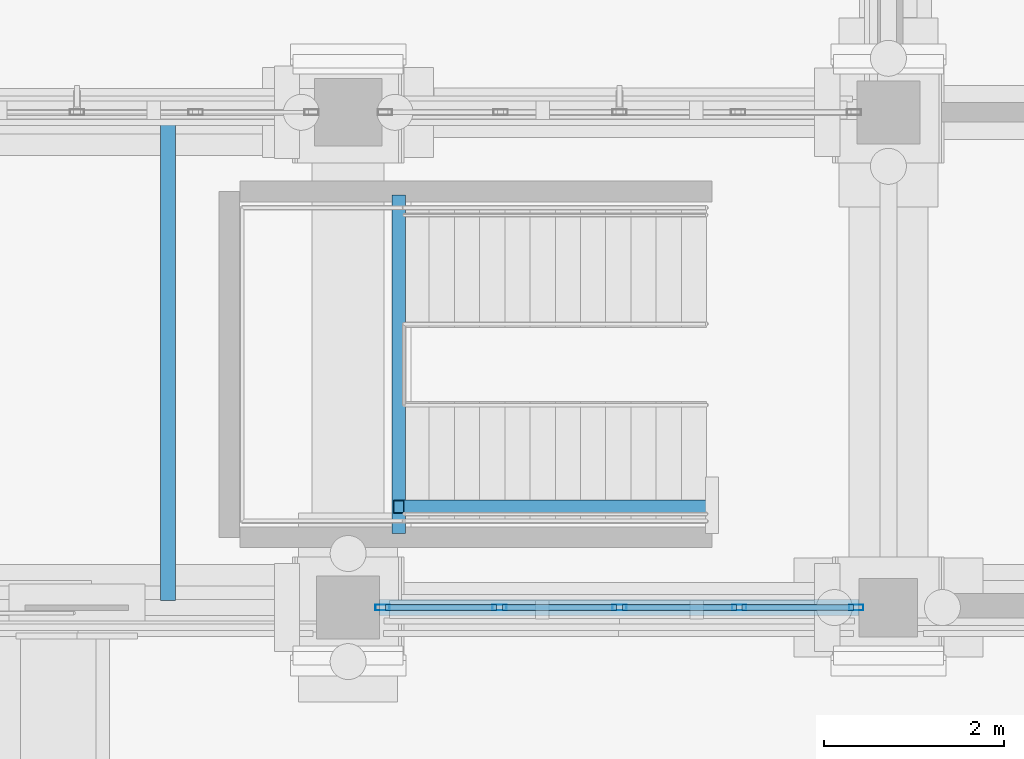
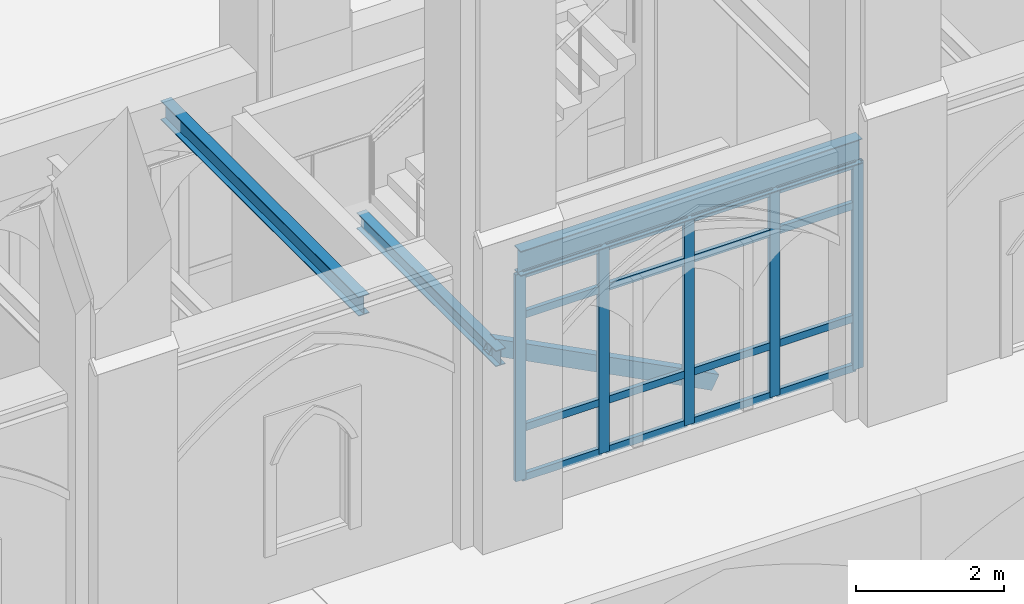
# One storey, part 27 of 135: 22 members, 3 beams, 1 element without a shape of its own.
"""IFC4 building model written with IfcOpenShell, lengths in metres."""

from ifc_helpers import new_model, si_unit, direction, frame, origin, origin_2d, place, context, subcontext, project, spatial, hollow_rectangle, i_section, extrude, material, layer, layer_set, material_profile, profile_set, type_object, element, aggregate, save


model = new_model("IFC4")

# Units and contexts
model_context = context("Model", 3, precision=1e-05, world=origin(), true_north=direction((0.0, 1.0)))
body_context = subcontext(model_context, "Body", "Model", "MODEL_VIEW")
ifc_project = project(units=[si_unit("LENGTHUNIT", "METRE"), si_unit("AREAUNIT", "SQUARE_METRE"), si_unit("VOLUMEUNIT", "CUBIC_METRE"), si_unit("PLANEANGLEUNIT", "RADIAN"), si_unit("MASSUNIT", "GRAM", prefix="KILO")], contexts=[model_context])

# Site, building, storey
site_placement = place(None, origin())
site = spatial("IfcSite", under=ifc_project, at=site_placement, CompositionType="ELEMENT")
building_placement = place(site_placement, origin())
building = spatial("IfcBuilding", under=site, at=building_placement, Name="Cumevento Cable Car Station", CompositionType="ELEMENT")
storey_placement = place(building_placement, origin())
storey = spatial("IfcBuildingStorey", under=building, at=storey_placement, Name="L01", CompositionType="ELEMENT", Elevation=0.0)

# Curtain wall, members
ifc_material_1 = material(Name="Anodised Bronze Aluminium AW-6063-T6", Category="aluminium")
ifc_layer = layer(ifc_material_1, 0.196044921875)
ifc_layer_set = layer_set([ifc_layer], Name="Anodised Bronze Aluminium AW-6063-T6")
curtain_wall_type = type_object("IfcCurtainWallType", Name="Lancet Curtain Wall CW-07 1290", PredefinedType="NOTDEFINED", material=ifc_layer_set)
curtain_wall_placement = place(storey_placement, origin())
curtain_wall = element("IfcCurtainWall", 1, at=curtain_wall_placement, inside=storey, type_object=curtain_wall_type, Name="Lancet Curtain Wall CW-07 L01 #6", PredefinedType="NOTDEFINED")
ifc_material_2 = material(Name="Anodised Bronze Aluminium AW-6063-T6", Category="aluminium")
ifc_material_profile_1 = material_profile(ifc_material_2, hollow_rectangle(XDim=0.06494140625, YDim=0.159912109375, WallThickness=0.00390625, at=origin_2d()), Name="ALUM65x160x4")
ifc_profile_set_1 = profile_set([ifc_material_profile_1], Name="Anodised Bronze Aluminium AW-6063-T6")
member_type_1 = type_object("IfcMemberType", Name="Curtain Mullion CWM-01 ALUM65x160x4", PredefinedType="MULLION", material=ifc_profile_set_1)
member_1_placement = place(storey_placement, frame((57.642578125, 4.0, 0.4599609375), z_axis=(0.0, 0.0, 1.0), x_axis=(0.0, -1.0, 0.0)))
member_1 = element("IfcMember", 2, at=member_1_placement, type_object=member_type_1, Name="CW-07 mullion 1", PredefinedType="MULLION", context=body_context, shape_type="SweptSolid", body=[
    extrude(hollow_rectangle(XDim=0.06494140625, YDim=0.159912109375, WallThickness=0.00390625, at=origin_2d()), origin(), (0.0, 0.0, 1.0), 3.408935546875),
])
member_2_placement = place(storey_placement, frame((56.34375, 4.0, 0.4599609375), z_axis=(0.0, 0.0, 1.0), x_axis=(0.0, -1.0, 0.0)))
member_2 = element("IfcMember", 3, at=member_2_placement, type_object=member_type_1, Name="CW-07 mullion 2", PredefinedType="MULLION", context=body_context, shape_type="SweptSolid", body=[
    extrude(hollow_rectangle(XDim=0.06494140625, YDim=0.159912109375, WallThickness=0.00390625, at=origin_2d()), origin(), (0.0, 0.0, 1.0), 3.408935546875),
])
member_3_placement = place(storey_placement, frame((55.012451171875, 4.0, 0.4599609375), z_axis=(0.0, 0.0, 1.0), x_axis=(0.0, -1.0, 0.0)))
member_3 = element("IfcMember", 4, at=member_3_placement, type_object=member_type_1, Name="CW-07 mullion 3", PredefinedType="MULLION", context=body_context, shape_type="SweptSolid", body=[
    extrude(hollow_rectangle(XDim=0.06494140625, YDim=0.159912109375, WallThickness=0.00390625, at=origin_2d()), origin(), (0.0, 0.0, 1.0), 3.408935546875),
])
member_4_placement = place(storey_placement, frame((53.68115234375, 4.0, 0.4599609375), z_axis=(0.0, 0.0, 1.0), x_axis=(0.0, -1.0, 0.0)))
member_4 = element("IfcMember", 5, at=member_4_placement, type_object=member_type_1, Name="CW-07 mullion 4", PredefinedType="MULLION", context=body_context, shape_type="SweptSolid", body=[
    extrude(hollow_rectangle(XDim=0.06494140625, YDim=0.159912109375, WallThickness=0.00390625, at=origin_2d()), origin(), (0.0, 0.0, 1.0), 3.408935546875),
])
member_5_placement = place(storey_placement, frame((52.382568359375, 4.0, 0.4599609375), z_axis=(0.0, 0.0, 1.0), x_axis=(0.0, -1.0, 0.0)))
member_5 = element("IfcMember", 6, at=member_5_placement, type_object=member_type_1, Name="CW-07 mullion 5", PredefinedType="MULLION", context=body_context, shape_type="SweptSolid", body=[
    extrude(hollow_rectangle(XDim=0.06494140625, YDim=0.159912109375, WallThickness=0.00390625, at=origin_2d()), origin(), (0.0, 0.0, 1.0), 3.408935546875),
])
ifc_material_3 = material(Name="Anodised Bronze Aluminium AW-6063-T6", Category="aluminium")
ifc_material_profile_2 = material_profile(ifc_material_3, hollow_rectangle(XDim=0.06494140625, YDim=0.1201171875, WallThickness=0.00390625, at=origin_2d()), Name="ALUT65x120x4")
ifc_profile_set_2 = profile_set([ifc_material_profile_2], Name="Anodised Bronze Aluminium AW-6063-T6")
member_type_2 = type_object("IfcMemberType", Name="Curtain Transom CWT-01 ALUT65x120x4", PredefinedType="USERDEFINED", material=ifc_profile_set_2)
member_6_placement = place(storey_placement, frame((57.610107421875, 4.0, 0.492431640625), z_axis=(-1.0, 0.0, 0.0), x_axis=(0.0, -1.0, 0.0)))
member_6 = element("IfcMember", 7, at=member_6_placement, type_object=member_type_2, Name="CW-07 transom 1.1", ObjectType="TRANSOM", PredefinedType="USERDEFINED", context=body_context, shape_type="SweptSolid", body=[
    extrude(hollow_rectangle(XDim=0.06494140625, YDim=0.1201171875, WallThickness=0.00390625, at=origin_2d()), origin(), (0.0, 0.0, 1.0), 1.23388671875),
])
member_7_placement = place(storey_placement, frame((57.610107421875, 4.0, 1.31005859375), z_axis=(-1.0, 0.0, 0.0), x_axis=(0.0, -1.0, 0.0)))
member_7 = element("IfcMember", 8, at=member_7_placement, type_object=member_type_2, Name="CW-07 transom 1.2", ObjectType="TRANSOM", PredefinedType="USERDEFINED", context=body_context, shape_type="SweptSolid", body=[
    extrude(hollow_rectangle(XDim=0.06494140625, YDim=0.1201171875, WallThickness=0.00390625, at=origin_2d()), origin(), (0.0, 0.0, 1.0), 1.23388671875),
])
member_8_placement = place(storey_placement, frame((57.610107421875, 4.0, 3.1689453125), z_axis=(-1.0, 0.0, 0.0), x_axis=(0.0, -1.0, 0.0)))
member_8 = element("IfcMember", 9, at=member_8_placement, type_object=member_type_2, Name="CW-07 transom 1.3", ObjectType="TRANSOM", PredefinedType="USERDEFINED", context=body_context, shape_type="SweptSolid", body=[
    extrude(hollow_rectangle(XDim=0.06494140625, YDim=0.1201171875, WallThickness=0.00390625, at=origin_2d()), origin(), (0.0, 0.0, 1.0), 1.23388671875),
])
member_9_placement = place(storey_placement, frame((57.610107421875, 4.0, 3.83642578125), z_axis=(-1.0, 0.0, 0.0), x_axis=(0.0, -1.0, 0.0)))
member_9 = element("IfcMember", 10, at=member_9_placement, type_object=member_type_2, Name="CW-07 transom 1.4", ObjectType="TRANSOM", PredefinedType="USERDEFINED", context=body_context, shape_type="SweptSolid", body=[
    extrude(hollow_rectangle(XDim=0.06494140625, YDim=0.1201171875, WallThickness=0.00390625, at=origin_2d()), origin(), (0.0, 0.0, 1.0), 1.23388671875),
])
member_10_placement = place(storey_placement, frame((56.311279296875, 4.0, 0.492431640625), z_axis=(-1.0, 0.0, 0.0), x_axis=(0.0, -1.0, 0.0)))
member_10 = element("IfcMember", 11, at=member_10_placement, type_object=member_type_2, Name="CW-07 transom 2.1", ObjectType="TRANSOM", PredefinedType="USERDEFINED", context=body_context, shape_type="SweptSolid", body=[
    extrude(hollow_rectangle(XDim=0.06494140625, YDim=0.1201171875, WallThickness=0.00390625, at=origin_2d()), origin(), (0.0, 0.0, 1.0), 1.266357421875),
])
member_11_placement = place(storey_placement, frame((56.311279296875, 4.0, 1.31005859375), z_axis=(-1.0, 0.0, 0.0), x_axis=(0.0, -1.0, 0.0)))
member_11 = element("IfcMember", 12, at=member_11_placement, type_object=member_type_2, Name="CW-07 transom 2.2", ObjectType="TRANSOM", PredefinedType="USERDEFINED", context=body_context, shape_type="SweptSolid", body=[
    extrude(hollow_rectangle(XDim=0.06494140625, YDim=0.1201171875, WallThickness=0.00390625, at=origin_2d()), origin(), (0.0, 0.0, 1.0), 1.266357421875),
])
member_12_placement = place(storey_placement, frame((56.311279296875, 4.0, 3.1689453125), z_axis=(-1.0, 0.0, 0.0), x_axis=(0.0, -1.0, 0.0)))
member_12 = element("IfcMember", 13, at=member_12_placement, type_object=member_type_2, Name="CW-07 transom 2.3", ObjectType="TRANSOM", PredefinedType="USERDEFINED", context=body_context, shape_type="SweptSolid", body=[
    extrude(hollow_rectangle(XDim=0.06494140625, YDim=0.1201171875, WallThickness=0.00390625, at=origin_2d()), origin(), (0.0, 0.0, 1.0), 1.266357421875),
])
member_13_placement = place(storey_placement, frame((56.311279296875, 4.0, 3.83642578125), z_axis=(-1.0, 0.0, 0.0), x_axis=(0.0, -1.0, 0.0)))
member_13 = element("IfcMember", 14, at=member_13_placement, type_object=member_type_2, Name="CW-07 transom 2.4", ObjectType="TRANSOM", PredefinedType="USERDEFINED", context=body_context, shape_type="SweptSolid", body=[
    extrude(hollow_rectangle(XDim=0.06494140625, YDim=0.1201171875, WallThickness=0.00390625, at=origin_2d()), origin(), (0.0, 0.0, 1.0), 1.266357421875),
])
member_14_placement = place(storey_placement, frame((54.97998046875, 4.0, 0.492431640625), z_axis=(-1.0, 0.0, 0.0), x_axis=(0.0, -1.0, 0.0)))
member_14 = element("IfcMember", 15, at=member_14_placement, type_object=member_type_2, Name="CW-07 transom 3.1", ObjectType="TRANSOM", PredefinedType="USERDEFINED", context=body_context, shape_type="SweptSolid", body=[
    extrude(hollow_rectangle(XDim=0.06494140625, YDim=0.1201171875, WallThickness=0.00390625, at=origin_2d()), origin(), (0.0, 0.0, 1.0), 1.26611328125),
])
member_15_placement = place(storey_placement, frame((54.97998046875, 4.0, 1.31005859375), z_axis=(-1.0, 0.0, 0.0), x_axis=(0.0, -1.0, 0.0)))
member_15 = element("IfcMember", 16, at=member_15_placement, type_object=member_type_2, Name="CW-07 transom 3.2", ObjectType="TRANSOM", PredefinedType="USERDEFINED", context=body_context, shape_type="SweptSolid", body=[
    extrude(hollow_rectangle(XDim=0.06494140625, YDim=0.1201171875, WallThickness=0.00390625, at=origin_2d()), origin(), (0.0, 0.0, 1.0), 1.26611328125),
])
member_16_placement = place(storey_placement, frame((54.97998046875, 4.0, 3.1689453125), z_axis=(-1.0, 0.0, 0.0), x_axis=(0.0, -1.0, 0.0)))
member_16 = element("IfcMember", 17, at=member_16_placement, type_object=member_type_2, Name="CW-07 transom 3.3", ObjectType="TRANSOM", PredefinedType="USERDEFINED", context=body_context, shape_type="SweptSolid", body=[
    extrude(hollow_rectangle(XDim=0.06494140625, YDim=0.1201171875, WallThickness=0.00390625, at=origin_2d()), origin(), (0.0, 0.0, 1.0), 1.26611328125),
])
member_17_placement = place(storey_placement, frame((54.97998046875, 4.0, 3.83642578125), z_axis=(-1.0, 0.0, 0.0), x_axis=(0.0, -1.0, 0.0)))
member_17 = element("IfcMember", 18, at=member_17_placement, type_object=member_type_2, Name="CW-07 transom 3.4", ObjectType="TRANSOM", PredefinedType="USERDEFINED", context=body_context, shape_type="SweptSolid", body=[
    extrude(hollow_rectangle(XDim=0.06494140625, YDim=0.1201171875, WallThickness=0.00390625, at=origin_2d()), origin(), (0.0, 0.0, 1.0), 1.26611328125),
])
member_18_placement = place(storey_placement, frame((53.648681640625, 4.0, 0.492431640625), z_axis=(-1.0, 0.0, 0.0), x_axis=(0.0, -1.0, 0.0)))
member_18 = element("IfcMember", 19, at=member_18_placement, type_object=member_type_2, Name="CW-07 transom 4.1", ObjectType="TRANSOM", PredefinedType="USERDEFINED", context=body_context, shape_type="SweptSolid", body=[
    extrude(hollow_rectangle(XDim=0.06494140625, YDim=0.1201171875, WallThickness=0.00390625, at=origin_2d()), origin(), (0.0, 0.0, 1.0), 1.233642578125),
])
member_19_placement = place(storey_placement, frame((53.648681640625, 4.0, 1.31005859375), z_axis=(-1.0, 0.0, 0.0), x_axis=(0.0, -1.0, 0.0)))
member_19 = element("IfcMember", 20, at=member_19_placement, type_object=member_type_2, Name="CW-07 transom 4.2", ObjectType="TRANSOM", PredefinedType="USERDEFINED", context=body_context, shape_type="SweptSolid", body=[
    extrude(hollow_rectangle(XDim=0.06494140625, YDim=0.1201171875, WallThickness=0.00390625, at=origin_2d()), origin(), (0.0, 0.0, 1.0), 1.233642578125),
])
member_20_placement = place(storey_placement, frame((53.648681640625, 4.0, 3.1689453125), z_axis=(-1.0, 0.0, 0.0), x_axis=(0.0, -1.0, 0.0)))
member_20 = element("IfcMember", 21, at=member_20_placement, type_object=member_type_2, Name="CW-07 transom 4.3", ObjectType="TRANSOM", PredefinedType="USERDEFINED", context=body_context, shape_type="SweptSolid", body=[
    extrude(hollow_rectangle(XDim=0.06494140625, YDim=0.1201171875, WallThickness=0.00390625, at=origin_2d()), origin(), (0.0, 0.0, 1.0), 1.233642578125),
])
member_21_placement = place(storey_placement, frame((53.648681640625, 4.0, 3.83642578125), z_axis=(-1.0, 0.0, 0.0), x_axis=(0.0, -1.0, 0.0)))
member_21 = element("IfcMember", 22, at=member_21_placement, type_object=member_type_2, Name="CW-07 transom 4.4", ObjectType="TRANSOM", PredefinedType="USERDEFINED", context=body_context, shape_type="SweptSolid", body=[
    extrude(hollow_rectangle(XDim=0.06494140625, YDim=0.1201171875, WallThickness=0.00390625, at=origin_2d()), origin(), (0.0, 0.0, 1.0), 1.233642578125),
])
aggregate(curtain_wall, [member_1, member_2, member_3, member_4, member_5, member_6, member_7, member_8, member_9, member_10, member_11, member_12, member_13, member_14, member_15, member_16, member_17, member_18, member_19, member_20, member_21])

# Member
ifc_material_4 = material(Name="Steel ASTM A572 Grade 50", Category="steel")
ifc_material_profile_3 = material_profile(ifc_material_4, hollow_rectangle(XDim=0.14990234375, YDim=0.25, WallThickness=0.010009765625, at=origin_2d()), Name="HSS250x150x10.0")
ifc_profile_set_3 = profile_set([ifc_material_profile_3], Name="Steel ASTM A572 Grade 50")
member_type_3 = type_object("IfcMemberType", Name="Framing Stringer SR-01 HSS250x150x10.0", PredefinedType="STRINGER", material=ifc_profile_set_3)
member_22_placement = place(storey_placement, frame((56.0400390625, 5.1201171875, 0.139892578125), z_axis=(-0.887880828752, 0.0, 0.460073509272), x_axis=(0.0, -1.0, 0.0)))
element("IfcMember", 23, at=member_22_placement, inside=storey, type_object=member_type_3, Name="Stair Steel Stringer ST-07 #445", PredefinedType="STRINGER", context=body_context, shape_type="SweptSolid", body=[
    extrude(hollow_rectangle(XDim=0.14990234375, YDim=0.25, WallThickness=0.010009765625, at=origin_2d()), origin(), (0.0, 0.0, 1.0), 3.91943359375),
])

# Beams
ifc_material_5 = material(Name="Steel ASTM A572 Grade 50", Category="steel")
ifc_material_profile_4 = material_profile(ifc_material_5, i_section(OverallWidth=0.14794921875, OverallDepth=0.26611328125, WebThickness=0.007568359375, FlangeThickness=0.012939453125, at=origin_2d()), Name="W250x44.8")
ifc_profile_set_4 = profile_set([ifc_material_profile_4], Name="Steel ASTM A572 Grade 50")
beam_type_1 = type_object("IfcBeamType", Name="Structural Beam BM-07 W250x44.8", PredefinedType="BEAM", material=ifc_profile_set_4)
beam_1_placement = place(storey_placement, frame((52.56005859375, 4.820068359375, 1.909912109375), z_axis=(0.0, 1.0, 0.0), x_axis=(-1.0, 0.0, 0.0)))
element("IfcBeam", 24, at=beam_1_placement, inside=storey, type_object=beam_type_1, Name="Stair Half-Landing Trimmer ST-07", PredefinedType="BEAM", context=body_context, shape_type="SweptSolid", body=[
    extrude(i_section(OverallWidth=0.14794921875, OverallDepth=0.26611328125, WebThickness=0.007568359375, FlangeThickness=0.012939453125, at=origin_2d()), origin(), (0.0, 0.0, 1.0), 3.760009765625),
])
ifc_material_6 = material(Name="Steel ASTM A572 Grade 50", Category="steel")
ifc_material_profile_5 = material_profile(ifc_material_6, i_section(OverallWidth=0.1669921875, OverallDepth=0.31689453125, WebThickness=0.007568359375, FlangeThickness=0.01318359375, at=origin_2d()), Name="W310x52.0")
ifc_profile_set_5 = profile_set([ifc_material_profile_5], Name="Steel ASTM A572 Grade 50")
beam_type_2 = type_object("IfcBeamType", Name="Structural Joist JS-02 W310x52.0", PredefinedType="JOIST", material=ifc_profile_set_5)
beam_2_placement = place(storey_placement, frame((50.0, 4.076904296875, 4.117431640625), z_axis=(0.0, 1.0, 0.0), x_axis=(-1.0, 0.0, 0.0)))
element("IfcBeam", 25, at=beam_2_placement, inside=storey, type_object=beam_type_2, Name="Composite Floor Joist JS-02 L01 #318", PredefinedType="JOIST", context=body_context, shape_type="SweptSolid", body=[
    extrude(i_section(OverallWidth=0.1669921875, OverallDepth=0.31689453125, WebThickness=0.007568359375, FlangeThickness=0.01318359375, at=origin_2d()), origin(), (0.0, 0.0, 1.0), 5.34619140625),
])
ifc_material_7 = material(Name="Steel ASTM A572 Grade 50", Category="steel")
ifc_material_profile_6 = material_profile(ifc_material_7, i_section(OverallWidth=0.177978515625, OverallDepth=0.406982421875, WebThickness=0.0078125, FlangeThickness=0.0126953125, at=origin_2d()), Name="W410x60.0")
ifc_profile_set_6 = profile_set([ifc_material_profile_6], Name="Steel ASTM A572 Grade 50")
beam_type_3 = type_object("IfcBeamType", Name="Structural Spandrel SP-01 W410x60.0", PredefinedType="SPANDREL", material=ifc_profile_set_6)
beam_3_placement = place(storey_placement, frame((52.35009765625, 4.0, 4.072509765625), z_axis=(1.0, 0.0, 0.0), x_axis=(0.0, 1.0, 0.0)))
element("IfcBeam", 26, at=beam_3_placement, inside=storey, type_object=beam_type_3, Name="Beam SP-01 L01 #24", PredefinedType="SPANDREL", context=body_context, shape_type="SweptSolid", body=[
    extrude(i_section(OverallWidth=0.177978515625, OverallDepth=0.406982421875, WebThickness=0.0078125, FlangeThickness=0.0126953125, at=origin_2d()), origin(), (0.0, 0.0, 1.0), 5.324951171875),
])

save(model, "model.ifc")
